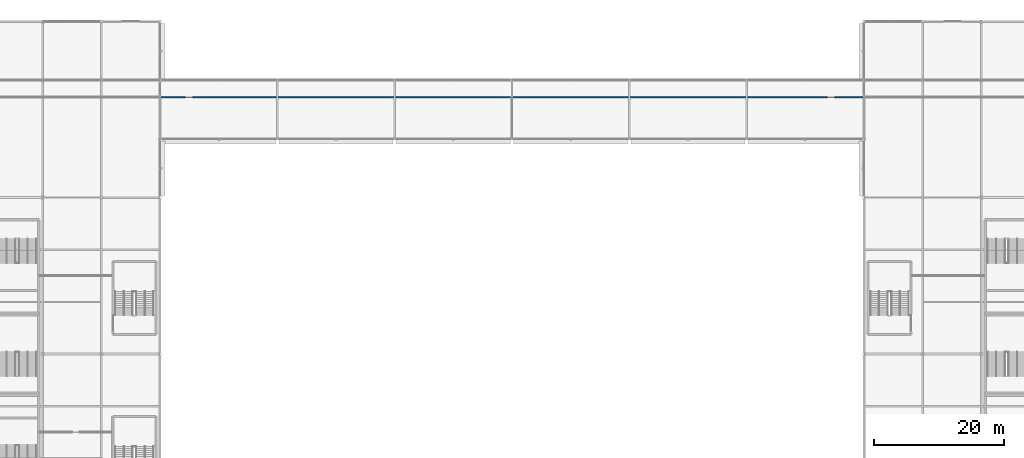
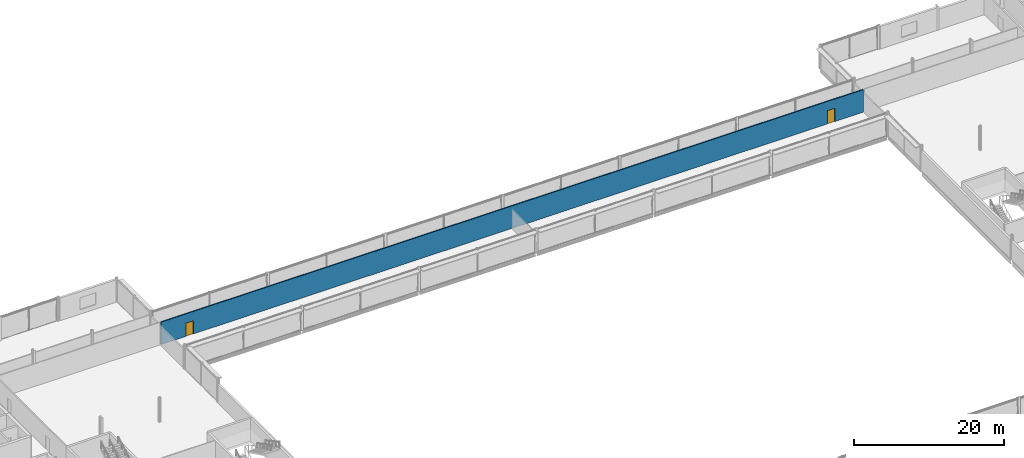
# One storey, part 59 of 96: 2 doors, 1 wall, 2 openings.
"""IFC4 building model written with IfcOpenShell, lengths in metres."""

import ifcopenshell
import ifcopenshell.guid

model = None  # the IFC model being written
_history = None  # IfcOwnerHistory: only IFC2X3 demands one
_inside = {}  # id of a spatial element -> (the spatial element, [elements in it])
_under = {}  # id of a project, library or spatial element -> (it, [spatial elements below it])
_declared = {}  # id of a project -> (the project, [libraries it declares])
_typed = {}  # id of a type object -> (the type object, [elements of that type])
_made_of = {}  # id of a material, layer set ... -> (it, [elements and type objects made of it])


def new_model(schema):
    """Start an empty IFC model of exactly this schema.

    Asked for "IFC4X3", IfcOpenShell would pick the latest addendum, in which some entities
    have other attributes; the version numbers below select the first issue.
    IFC2X3 requires an IfcOwnerHistory on every rooted entity: one is made here for all.
    """
    global model, _history
    if schema == "IFC4X3":
        model = ifcopenshell.file(schema_version=(4, 3, 0, 0))
    else:
        model = ifcopenshell.file(schema=schema)
    _inside.clear()
    _under.clear()
    _declared.clear()
    _typed.clear()
    _made_of.clear()
    _history = None
    if model.schema == "IFC2X3":
        org = make("IfcOrganization", Name="unknown")
        user = make(
            "IfcPersonAndOrganization",
            ThePerson=make("IfcPerson", FamilyName="unknown"),
            TheOrganization=org,
        )
        app = make(
            "IfcApplication",
            ApplicationDeveloper=org,
            Version="unknown",
            ApplicationFullName="unknown",
            ApplicationIdentifier="unknown",
        )
        _history = make(
            "IfcOwnerHistory",
            OwningUser=user,
            OwningApplication=app,
            ChangeAction="ADDED",
            CreationDate=0,
        )
    return model


def make(cls, **values):
    """One entity of the class cls with the attributes given. An attribute that is None is left unset."""
    return model.create_entity(
        cls, **{name: value for name, value in values.items() if value is not None}
    )


def rooted(cls, **values):
    """An entity with a GlobalId (a new one), such as an element, a storey or a relation."""
    return make(cls, GlobalId=ifcopenshell.guid.new(), OwnerHistory=_history, **values)


def si_unit(unit_type, name, prefix=None):
    """IfcSIUnit, for example si_unit("LENGTHUNIT", "METRE", prefix="MILLI")."""
    return make("IfcSIUnit", UnitType=unit_type, Prefix=prefix, Name=name)


def assignment(units):
    """IfcUnitAssignment: the units of a project."""
    return None if units is None else make("IfcUnitAssignment", Units=units)


def point(xyz):
    """IfcCartesianPoint."""
    return None if xyz is None else make("IfcCartesianPoint", Coordinates=xyz)


def direction(xyz):
    """IfcDirection."""
    return None if xyz is None else make("IfcDirection", DirectionRatios=xyz)


def frame(location, z_axis=None, x_axis=None):
    """IfcAxis2Placement3D, a coordinate frame: its origin and axes. An axis left out is left unset."""
    return make(
        "IfcAxis2Placement3D",
        Location=point(location),
        Axis=direction(z_axis),
        RefDirection=direction(x_axis),
    )


def frame_2d(location, x_axis=None):
    """IfcAxis2Placement2D, a coordinate frame in the plane: its origin and x axis."""
    return make(
        "IfcAxis2Placement2D", Location=point(location), RefDirection=direction(x_axis)
    )


def origin():
    """The frame at (0, 0, 0) with its axes left unset."""
    return frame((0.0, 0.0, 0.0))


def place(relative_to, where):
    """IfcLocalPlacement: puts the frame where relative to a parent placement (None: the world)."""
    return make(
        "IfcLocalPlacement", PlacementRelTo=relative_to, RelativePlacement=where
    )


def context(
    kind, dimensions, precision=None, world=None, true_north=None, identifier=None
):
    """IfcGeometricRepresentationContext, for example the 3D "Model" context."""
    return make(
        "IfcGeometricRepresentationContext",
        ContextIdentifier=identifier,
        ContextType=kind,
        CoordinateSpaceDimension=dimensions,
        Precision=precision,
        WorldCoordinateSystem=world,
        TrueNorth=true_north,
    )


def subcontext(parent, identifier, kind, view, scale=None):
    """IfcGeometricRepresentationSubContext, for example "Body" below "Model"."""
    return make(
        "IfcGeometricRepresentationSubContext",
        ContextIdentifier=identifier,
        ContextType=kind,
        ParentContext=parent,
        TargetScale=scale,
        TargetView=view,
    )


def project(units=None, contexts=None):
    """IfcProject with its units and contexts."""
    return rooted(
        "IfcProject",
        Name="project",
        RepresentationContexts=contexts,
        UnitsInContext=assignment(units),
    )


def spatial(cls, under=None, at=None, **own):
    """A site, building, storey or space (cls), placed at a placement, below another one or the project."""
    s = rooted(cls, ObjectPlacement=at, **own)
    if under is not None:
        _under.setdefault(under.id(), (under, []))[1].append(s)
    return s


def profile(cls, at=None, kind="AREA", **sizes):
    """A parametric profile (cls). Its sizes go by their IFC names, for example OverallWidth=200.0."""
    return make(cls, ProfileType=kind, Position=at, **sizes)


def rectangle(**sizes):
    """IfcRectangleProfileDef."""
    return profile("IfcRectangleProfileDef", **sizes)


def extrude(swept, where, along, depth):
    """IfcExtrudedAreaSolid: the profile swept, set in the frame where, extruded along a direction by depth."""
    return make(
        "IfcExtrudedAreaSolid",
        SweptArea=swept,
        Position=where,
        ExtrudedDirection=direction(along),
        Depth=depth,
    )


def shape(context_of_items, identifier, shape_type, items):
    """IfcShapeRepresentation: the items that make up one representation, for example the "Body"."""
    return make(
        "IfcShapeRepresentation",
        ContextOfItems=context_of_items,
        RepresentationIdentifier=identifier,
        RepresentationType=shape_type,
        Items=items,
    )


def material(Name=None, Category=None):
    """IfcMaterial."""
    return make("IfcMaterial", Name=Name, Category=Category)


def layer(
    of_material, thickness, ventilated=None, Name=None, Category=None, Priority=None
):
    """IfcMaterialLayer: one layer of a wall or slab, of a material (None: an air gap)."""
    return make(
        "IfcMaterialLayer",
        Material=of_material,
        LayerThickness=thickness,
        IsVentilated=ventilated,
        Name=Name,
        Category=Category,
        Priority=Priority,
    )


def layer_set(layers, Name=None):
    """IfcMaterialLayerSet."""
    return make("IfcMaterialLayerSet", MaterialLayers=layers, LayerSetName=Name)


def made_of(thing, what):
    """Note that an element or type object is made of a material, layer set ...; save() writes the relation."""
    if what is not None:
        _made_of.setdefault(what.id(), (what, []))[1].append(thing)
    return thing


def type_object(cls, material=None, **own):
    """A type object (cls), such as IfcWallType, which elements share."""
    return made_of(rooted(cls, **own), material)


def element(
    cls,
    number,
    at=None,
    inside=None,
    cuts=None,
    type_object=None,
    material=None,
    context=None,
    identifier="Body",
    shape_type=None,
    held_by="IfcProductDefinitionShape",
    body=None,
    shapes=None,
    **own,
):
    """One element of the class cls, such as IfcWall. Its Tag is "e" and its number.

    at: its placement. inside: the storey or other place that contains it. cuts: it is an
    opening in that element (IfcRelVoidsElement). A single representation is given by context,
    identifier, shape_type and body (its items); several are given by shapes. held_by: the class
    of the entity that holds the representations. save() writes the other relations.
    """
    e = rooted(cls, Tag="e%d" % number, ObjectPlacement=at, **own)
    if body is not None:
        shapes = [shape(context, identifier, shape_type, body)]
    if shapes is not None:
        e.Representation = make(held_by, Representations=shapes)
    if inside is not None:
        _inside.setdefault(inside.id(), (inside, []))[1].append(e)
    if cuts is not None:
        rooted(
            "IfcRelVoidsElement", RelatingBuildingElement=cuts, RelatedOpeningElement=e
        )
    if type_object is not None:
        _typed.setdefault(type_object.id(), (type_object, []))[1].append(e)
    return made_of(e, material)


def fill(opening, filler):
    """IfcRelFillsElement: the door or window that sits in an opening."""
    return rooted(
        "IfcRelFillsElement",
        RelatingOpeningElement=opening,
        RelatedBuildingElement=filler,
    )


def aggregate(whole, parts):
    """IfcRelAggregates: a whole, such as a stair, and the parts it consists of."""
    return rooted("IfcRelAggregates", RelatingObject=whole, RelatedObjects=parts)


def save(model, path):
    """Write the relations noted so far, then the file.

    IfcRelAggregates (storeys below a building ...), IfcRelContainedInSpatialStructure (elements
    in a storey), IfcRelDefinesByType, IfcRelAssociatesMaterial and IfcRelDeclares: one each for
    every whole, place, type object, material and project.
    """
    for whole, parts in _under.values():
        aggregate(whole, parts)
    for where, things in _inside.values():
        rooted(
            "IfcRelContainedInSpatialStructure",
            RelatedElements=things,
            RelatingStructure=where,
        )
    for kind, things in _typed.values():
        rooted("IfcRelDefinesByType", RelatedObjects=things, RelatingType=kind)
    for what, things in _made_of.values():
        rooted("IfcRelAssociatesMaterial", RelatedObjects=things, RelatingMaterial=what)
    for by, libraries in _declared.values():
        rooted("IfcRelDeclares", RelatingContext=by, RelatedDefinitions=libraries)
    model.write(path)


model = new_model("IFC4")

# Units and contexts
model_context = context("Model", 3, precision=1e-05, world=origin(), true_north=direction((0.0, 1.0)))
body_context = subcontext(model_context, "Body", "Model", "MODEL_VIEW")
ifc_project = project(units=[si_unit("LENGTHUNIT", "METRE"), si_unit("AREAUNIT", "SQUARE_METRE"), si_unit("VOLUMEUNIT", "CUBIC_METRE"), si_unit("PLANEANGLEUNIT", "RADIAN"), si_unit("MASSUNIT", "GRAM", prefix="KILO")], contexts=[model_context])

# Site, building, storey
site_placement = place(None, origin())
site = spatial("IfcSite", under=ifc_project, at=site_placement, CompositionType="ELEMENT")
building_placement = place(site_placement, origin())
building = spatial("IfcBuilding", under=site, at=building_placement, Name="Kisiwana Market Hall", CompositionType="ELEMENT")
storey_placement = place(building_placement, frame((0.0, 0.0, 25.5)))
storey = spatial("IfcBuildingStorey", under=building, at=storey_placement, Name="L05", CompositionType="ELEMENT", Elevation=25.5)

# Wall, openings, doors
ifc_material_1 = material(Name="Masonry blockwork", Category="masonry")
ifc_layer = layer(ifc_material_1, 0.169921875, Name="Protected corridor partition")
ifc_layer_set = layer_set([ifc_layer], Name="WL-CORR-170")
wall_type = type_object("IfcWallType", Name="WL-CORR-170", PredefinedType="PARTITIONING", material=ifc_layer_set)
wall_placement = place(storey_placement, frame((45.0849609375, 99.39990234375, 0.0), z_axis=(0.0, 0.0, 1.0), x_axis=(1.0, 0.0, 0.0)))
wall = element("IfcWall", 1, at=wall_placement, inside=storey, type_object=wall_type, Name="Interior partition W-1889", PredefinedType="PARTITIONING", context=body_context, shape_type="SweptSolid", body=[
    extrude(rectangle(XDim=107.830078125, YDim=0.169921875, at=frame_2d((53.9150390625, 0.0))), origin(), (0.0, 0.0, 1.0), 3.655029296875),
])
opening_1_placement = place(wall_placement, frame((3.800048828125, 0.0, 0.0)))
opening_1 = element("IfcOpeningElement", 2, at=opening_1_placement, cuts=wall, Name="Opening DR-L05-067", PredefinedType="OPENING", context=body_context, shape_type="SweptSolid", body=[
    extrude(rectangle(XDim=1.14990234375, YDim=2.14990234375, at=frame_2d((0.574951171875, 1.074951171875))), frame((0.0, 0.096923828125, 0.0), z_axis=(0.0, -1.0, 0.0), x_axis=(1.0, 0.0, 0.0)), (0.0, 0.0, 1.0), 0.19384765625),
])
opening_2_placement = place(wall_placement, frame((102.300048828125, 0.0, 0.0)))
opening_2 = element("IfcOpeningElement", 3, at=opening_2_placement, cuts=wall, Name="Opening DR-L05-068", PredefinedType="OPENING", context=body_context, shape_type="SweptSolid", body=[
    extrude(rectangle(XDim=1.14990234375, YDim=2.14990234375, at=frame_2d((0.574951171875, 1.074951171875))), frame((0.0, 0.096923828125, 0.0), z_axis=(0.0, -1.0, 0.0), x_axis=(1.0, 0.0, 0.0)), (0.0, 0.0, 1.0), 0.19384765625),
])
ifc_material_2 = material(Name="Aluminium alloy 6063-T6", Category="aluminium")
door_type = type_object("IfcDoorType", Name="DR-MEET-1150", OperationType="NOTDEFINED", PredefinedType="DOOR", material=ifc_material_2)
door_1_placement = place(opening_1_placement, frame((1.14990234375, 0.0, 0.0), z_axis=(0.0, 0.0, 1.0), x_axis=(-1.0, 0.0, 0.0)))
door_1 = element("IfcDoor", 4, at=door_1_placement, inside=storey, type_object=door_type, Name="L05 Skybridge N1 Door", OperationType="SINGLE_SWING_RIGHT", OverallHeight=2.14990234375, OverallWidth=1.14990234375, PredefinedType="DOOR", context=body_context, shape_type="SweptSolid", body=[
    extrude(rectangle(XDim=1.14990234375, YDim=2.14990234375, at=frame_2d((0.574951171875, 1.074951171875))), frame((0.0, 0.02490234375, 0.0), z_axis=(0.0, -1.0, 0.0), x_axis=(1.0, 0.0, 0.0)), (0.0, 0.0, 1.0), 0.050048828125),
])
fill(opening_1, door_1)
door_2_placement = place(opening_2_placement, frame((1.14990234375, 0.0, 0.0), z_axis=(0.0, 0.0, 1.0), x_axis=(-1.0, 0.0, 0.0)))
door_2 = element("IfcDoor", 5, at=door_2_placement, inside=storey, type_object=door_type, Name="L05 Skybridge N2 Door", OperationType="SINGLE_SWING_LEFT", OverallHeight=2.14990234375, OverallWidth=1.14990234375, PredefinedType="DOOR", context=body_context, shape_type="SweptSolid", body=[
    extrude(rectangle(XDim=1.14990234375, YDim=2.14990234375, at=frame_2d((0.574951171875, 1.074951171875))), frame((0.0, 0.02490234375, 0.0), z_axis=(0.0, -1.0, 0.0), x_axis=(1.0, 0.0, 0.0)), (0.0, 0.0, 1.0), 0.050048828125),
])
fill(opening_2, door_2)

save(model, "model.ifc")
